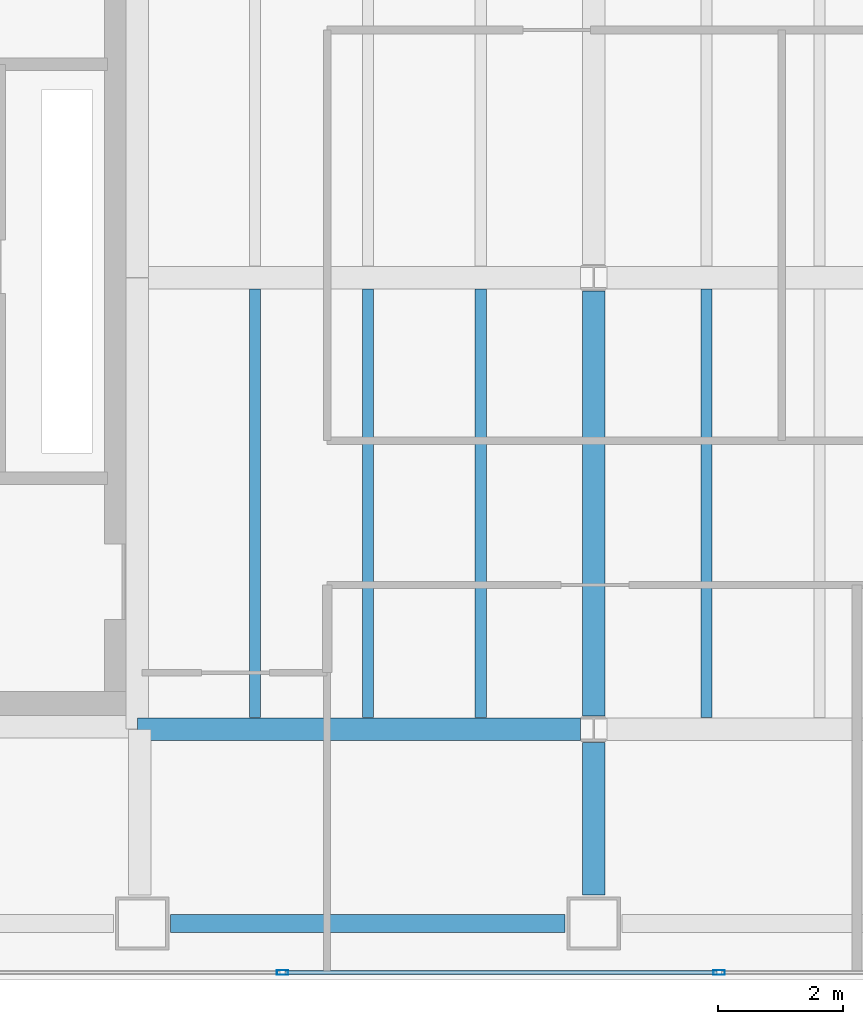
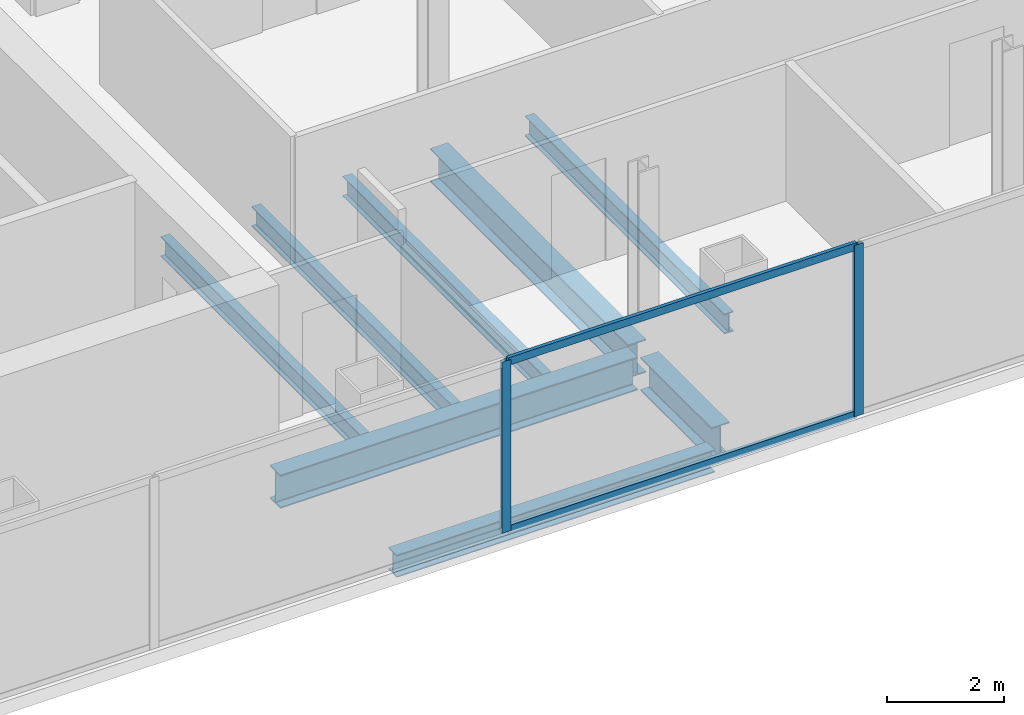
# One storey, part 4 of 23: 8 beams, 4 members, 1 element without a shape of its own.
"""IFC4 building model written with IfcOpenShell, lengths in metres."""

from ifc_helpers import new_model, si_unit, direction, frame, origin, origin_2d, place, context, subcontext, project, spatial, hollow_rectangle, i_section, extrude, material, material_profile, profile_set, type_object, element, aggregate, save


model = new_model("IFC4")

# Units and contexts
model_context = context("Model", 3, precision=1e-05, world=origin(), true_north=direction((0.0, 1.0)))
body_context = subcontext(model_context, "Body", "Model", "MODEL_VIEW")
ifc_project = project(units=[si_unit("LENGTHUNIT", "METRE"), si_unit("AREAUNIT", "SQUARE_METRE"), si_unit("VOLUMEUNIT", "CUBIC_METRE"), si_unit("PLANEANGLEUNIT", "RADIAN"), si_unit("MASSUNIT", "GRAM", prefix="KILO")], contexts=[model_context])

# Site, building, storey
site_placement = place(None, origin())
site = spatial("IfcSite", under=ifc_project, at=site_placement, CompositionType="ELEMENT")
building_placement = place(site_placement, origin())
building = spatial("IfcBuilding", under=site, at=building_placement, Name="Cobrela Telecom Tower", CompositionType="ELEMENT")
storey_placement = place(building_placement, frame((0.0, 0.0, 148.39990234375)))
storey = spatial("IfcBuildingStorey", under=building, at=storey_placement, Name="L37", CompositionType="ELEMENT", Elevation=148.39990234375)

# Beams
ifc_material_1 = material(Name="Steel ASTM A992 Grade 50", Category="steel")
ifc_material_profile_1 = material_profile(ifc_material_1, i_section(OverallWidth=0.35595703125, OverallDepth=0.696044921875, WebThickness=0.015380859375, FlangeThickness=0.024658203125, FilletRadius=0.01806640625, at=origin_2d()), Name="W27X146")
ifc_profile_set_1 = profile_set([ifc_material_profile_1], Name="Steel ASTM A992 Grade 50")
beam_type_1 = type_object("IfcBeamType", Name="BM-GIRD-05", PredefinedType="USERDEFINED", material=ifc_profile_set_1)
beam_1_placement = place(storey_placement, frame((14.324951171875, 7.199951171875, -0.617919921875), z_axis=(1.0, 0.0, 0.0), x_axis=(0.0, 1.0, 0.0)))
element("IfcBeam", 1, at=beam_1_placement, inside=storey, type_object=beam_type_1, Name="L37 Primary Girder X08", ObjectType="GIRDER", PredefinedType="USERDEFINED", context=body_context, shape_type="SweptSolid", body=[
    extrude(i_section(OverallWidth=0.35595703125, OverallDepth=0.696044921875, WebThickness=0.015380859375, FlangeThickness=0.024658203125, FilletRadius=0.01806640625, at=origin_2d()), origin(), (0.0, 0.0, 1.0), 7.0654296875),
])
beam_2_placement = place(storey_placement, frame((21.60009765625, 4.554931640625, -0.617919921875), z_axis=(0.0, 1.0, 0.0), x_axis=(-1.0, 0.0, 0.0)))
element("IfcBeam", 2, at=beam_2_placement, inside=storey, type_object=beam_type_1, Name="L37 Primary Girder Y39", ObjectType="GIRDER", PredefinedType="USERDEFINED", context=body_context, shape_type="SweptSolid", body=[
    extrude(i_section(OverallWidth=0.35595703125, OverallDepth=0.696044921875, WebThickness=0.015380859375, FlangeThickness=0.024658203125, FilletRadius=0.01806640625, at=origin_2d()), origin(), (0.0, 0.0, 1.0), 2.435546875),
])
beam_3_placement = place(storey_placement, frame((21.60009765625, 7.409423828125, -0.617919921875), z_axis=(0.0, 1.0, 0.0), x_axis=(-1.0, 0.0, 0.0)))
element("IfcBeam", 3, at=beam_3_placement, inside=storey, type_object=beam_type_1, Name="L37 Primary Girder Y40", ObjectType="GIRDER", PredefinedType="USERDEFINED", context=body_context, shape_type="SweptSolid", body=[
    extrude(i_section(OverallWidth=0.35595703125, OverallDepth=0.696044921875, WebThickness=0.015380859375, FlangeThickness=0.024658203125, FilletRadius=0.01806640625, at=origin_2d()), origin(), (0.0, 0.0, 1.0), 6.781005859375),
])
ifc_material_profile_2 = material_profile(ifc_material_1, i_section(OverallWidth=0.179931640625, OverallDepth=0.4169921875, WebThickness=0.010986328125, FlangeThickness=0.01806640625, FilletRadius=0.011962890625, at=origin_2d()), Name="W16X57")
ifc_profile_set_2 = profile_set([ifc_material_profile_2], Name="Steel ASTM A992 Grade 50")
beam_type_2 = type_object("IfcBeamType", Name="BM-JOIST-04", PredefinedType="JOIST", material=ifc_profile_set_2)
for number, where, z_axis, x_axis, name in (
    (4, (16.199951171875, 7.383056640625, -0.478515625), (0.0, 1.0, 0.0), (-1.0, 0.0, 0.0), "L37 Secondary Composite Floor Beam J04"),
    (5, (18.0, 7.383056640625, -0.478515625), (0.0, 1.0, 0.0), (-1.0, 0.0, 0.0), "L37 Secondary Composite Floor Beam J09"),
    (6, (19.800048828125, 7.383056640625, -0.478515625), (0.0, 1.0, 0.0), (-1.0, 0.0, 0.0), "L37 Secondary Composite Floor Beam J14"),
    (7, (23.39990234375, 7.383056640625, -0.478515625), (0.0, 1.0, 0.0), (-1.0, 0.0, 0.0), "L37 Secondary Composite Floor Beam J19"),
):
    element("IfcBeam", number, at=place(storey_placement, frame(where, z_axis=z_axis, x_axis=x_axis)), inside=storey, type_object=beam_type_2, Name=name, PredefinedType="JOIST", context=body_context, shape_type="SweptSolid", body=[
        extrude(i_section(OverallWidth=0.179931640625, OverallDepth=0.4169921875, WebThickness=0.010986328125, FlangeThickness=0.01806640625, FilletRadius=0.011962890625, at=origin_2d()), origin(), (0.0, 0.0, 1.0), 6.833984375),
    ])
ifc_material_profile_3 = material_profile(ifc_material_1, i_section(OverallWidth=0.281982421875, OverallDepth=0.467041015625, WebThickness=0.01220703125, FlangeThickness=0.01953125, FilletRadius=0.012939453125, at=origin_2d()), Name="W18X86")
ifc_profile_set_3 = profile_set([ifc_material_profile_3], Name="Steel ASTM A992 Grade 50")
beam_type_3 = type_object("IfcBeamType", Name="BM-SPAND-04", PredefinedType="SPANDREL", material=ifc_profile_set_3)
beam_4_placement = place(storey_placement, frame((14.85498046875, 4.10009765625, -0.50341796875), z_axis=(1.0, 0.0, 0.0), x_axis=(0.0, 1.0, 0.0)))
element("IfcBeam", 8, at=beam_4_placement, inside=storey, type_object=beam_type_3, Name="L37 Perimeter Spandrel X02", PredefinedType="SPANDREL", context=body_context, shape_type="SweptSolid", body=[
    extrude(i_section(OverallWidth=0.281982421875, OverallDepth=0.467041015625, WebThickness=0.01220703125, FlangeThickness=0.01953125, FilletRadius=0.012939453125, at=origin_2d()), origin(), (0.0, 0.0, 1.0), 6.2900390625),
])

# Curtain wall, members
ifc_material_2 = material(Name="Anodized Bronze Aluminium 6063-T6", Category="aluminium")
curtain_wall_type = type_object("IfcCurtainWallType", Name="CW-SYS-TEL", PredefinedType="USERDEFINED", material=ifc_material_2)
curtain_wall_placement = place(storey_placement, origin())
curtain_wall = element("IfcCurtainWall", 9, at=curtain_wall_placement, inside=storey, type_object=curtain_wall_type, Name="L37 Unitised Bronze Curtain Wall 17", ObjectType="UNITISED CURTAIN WALL", PredefinedType="USERDEFINED")
ifc_material_profile_4 = material_profile(ifc_material_2, hollow_rectangle(XDim=0.074951171875, YDim=0.179931640625, WallThickness=0.00390625, at=origin_2d()), Name="ALU 75x180x4")
ifc_profile_set_4 = profile_set([ifc_material_profile_4], Name="Anodized Bronze Aluminium 6063-T6")
member_type_1 = type_object("IfcMemberType", Name="CW-SYS-TEL-MUL", PredefinedType="MULLION", material=ifc_profile_set_4)
member_1_placement = place(storey_placement, frame((23.60009765625, 3.320068359375, 0.0), z_axis=(0.0, 0.0, 1.0), x_axis=(0.0, -1.0, 0.0)))
member_1 = element("IfcMember", 10, at=member_1_placement, type_object=member_type_1, Name="CW-TEL mullion 4", PredefinedType="MULLION", context=body_context, shape_type="SweptSolid", body=[
    extrude(hollow_rectangle(XDim=0.074951171875, YDim=0.179931640625, WallThickness=0.00390625, at=origin_2d()), origin(), (0.0, 0.0, 1.0), 3.580078125),
])
member_2_placement = place(storey_placement, frame((16.63671875, 3.320068359375, 0.0), z_axis=(0.0, 0.0, 1.0), x_axis=(0.0, -1.0, 0.0)))
member_2 = element("IfcMember", 11, at=member_2_placement, type_object=member_type_1, Name="CW-TEL mullion 5", PredefinedType="MULLION", context=body_context, shape_type="SweptSolid", body=[
    extrude(hollow_rectangle(XDim=0.074951171875, YDim=0.179931640625, WallThickness=0.00390625, at=origin_2d()), origin(), (0.0, 0.0, 1.0), 3.580078125),
])
ifc_material_profile_5 = material_profile(ifc_material_2, hollow_rectangle(XDim=0.070068359375, YDim=0.159912109375, WallThickness=0.00390625, at=origin_2d()), Name="ALU 70x160x4")
ifc_profile_set_5 = profile_set([ifc_material_profile_5], Name="Anodized Bronze Aluminium 6063-T6")
member_type_2 = type_object("IfcMemberType", Name="CW-SYS-TEL-TRN", PredefinedType="USERDEFINED", material=ifc_profile_set_5)
member_3_placement = place(storey_placement, frame((23.5625, 3.320068359375, 0.03515625), z_axis=(-1.0, 0.0, 0.0), x_axis=(0.0, -1.0, 0.0)))
member_3 = element("IfcMember", 12, at=member_3_placement, type_object=member_type_2, Name="CW-TEL transom 4.1", ObjectType="TRANSOM", PredefinedType="USERDEFINED", context=body_context, shape_type="SweptSolid", body=[
    extrude(hollow_rectangle(XDim=0.070068359375, YDim=0.159912109375, WallThickness=0.00390625, at=origin_2d()), origin(), (0.0, 0.0, 1.0), 6.888427734375),
])
member_4_placement = place(storey_placement, frame((23.5625, 3.320068359375, 3.545166015625), z_axis=(-1.0, 0.0, 0.0), x_axis=(0.0, -1.0, 0.0)))
member_4 = element("IfcMember", 13, at=member_4_placement, type_object=member_type_2, Name="CW-TEL transom 4.2", ObjectType="TRANSOM", PredefinedType="USERDEFINED", context=body_context, shape_type="SweptSolid", body=[
    extrude(hollow_rectangle(XDim=0.070068359375, YDim=0.159912109375, WallThickness=0.00390625, at=origin_2d()), origin(), (0.0, 0.0, 1.0), 6.888427734375),
])
aggregate(curtain_wall, [member_1, member_2, member_3, member_4])

save(model, "model.ifc")
